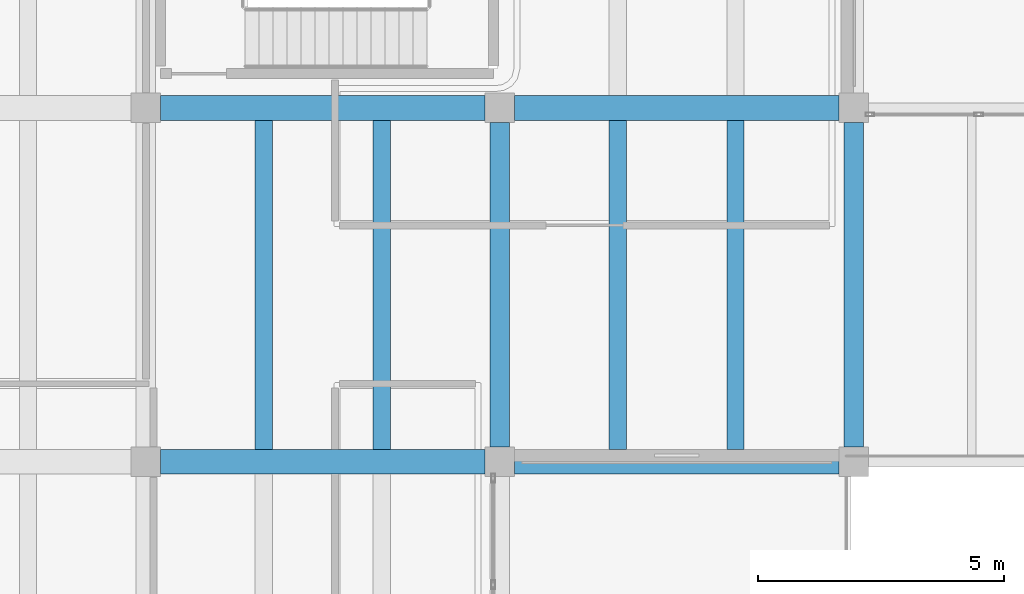
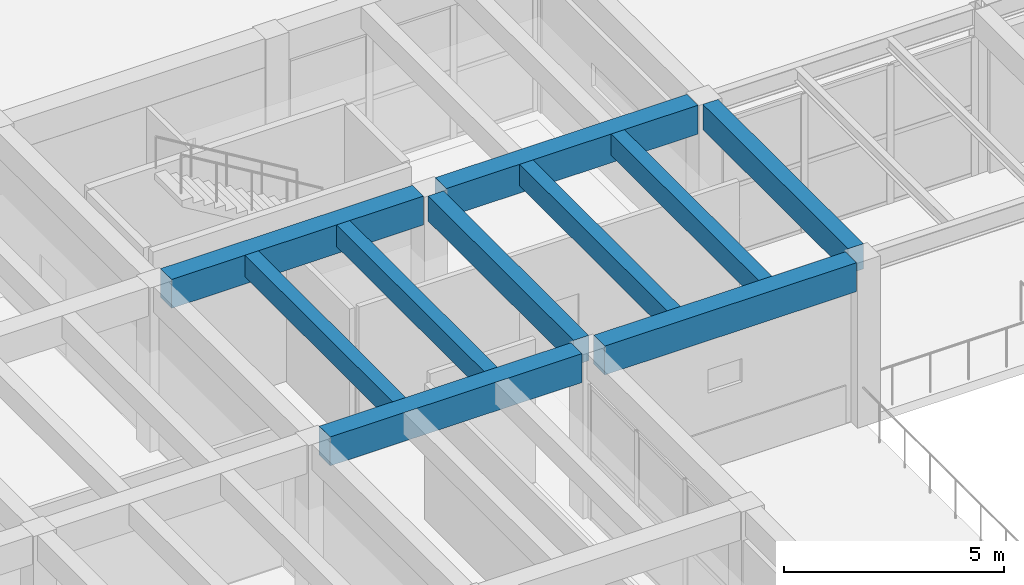
# One storey, part 23 of 155: 10 beams.
"""IFC4 building model written with IfcOpenShell, lengths in metres."""

from ifc_helpers import new_model, si_unit, direction, frame, origin, origin_2d, place, context, subcontext, project, spatial, rectangle, extrude, material, material_profile, profile_set, type_object, element, save


model = new_model("IFC4")

# Units and contexts
model_context = context("Model", 3, precision=1e-05, world=origin(), true_north=direction((0.0, 1.0)))
body_context = subcontext(model_context, "Body", "Model", "MODEL_VIEW")
ifc_project = project(units=[si_unit("LENGTHUNIT", "METRE"), si_unit("AREAUNIT", "SQUARE_METRE"), si_unit("VOLUMEUNIT", "CUBIC_METRE"), si_unit("PLANEANGLEUNIT", "RADIAN"), si_unit("MASSUNIT", "GRAM", prefix="KILO")], contexts=[model_context])

# Site, building, storey
site_placement = place(None, origin())
site = spatial("IfcSite", under=ifc_project, at=site_placement, CompositionType="ELEMENT")
building_placement = place(site_placement, origin())
building = spatial("IfcBuilding", under=site, at=building_placement, Name="Bramvelor Terrace Health Centre", CompositionType="ELEMENT")
storey_placement = place(building_placement, origin())
storey = spatial("IfcBuildingStorey", under=building, at=storey_placement, Name="L01", CompositionType="ELEMENT", Elevation=0.0)

# Beams
ifc_material_1 = material(Name="Concrete C40/50", Category="concrete")
ifc_material_profile_1 = material_profile(ifc_material_1, rectangle(XDim=0.39990234375, YDim=0.699951171875, at=origin_2d()), Name="RC 400x700")
ifc_profile_set_1 = profile_set([ifc_material_profile_1], Name="Concrete C40/50")
beam_type_1 = type_object("IfcBeamType", Name="BM-RC-G700", PredefinedType="BEAM", material=ifc_profile_set_1)
for number, where, z_axis, x_axis, name in (
    (1, (21.60009765625, 50.699951171875, 4.2099609375), (0.0, 1.0, 0.0), (-1.0, 0.0, 0.0), "L01 Floor Girder"),
    (2, (28.800048828125, 50.699951171875, 4.22998046875), (0.0, 1.0, 0.0), (-1.0, 0.0, 0.0), "L01 Floor Girder"),
):
    element("IfcBeam", number, at=place(storey_placement, frame(where, z_axis=z_axis, x_axis=x_axis)), inside=storey, type_object=beam_type_1, Name=name, PredefinedType="BEAM", context=body_context, shape_type="SweptSolid", body=[
        extrude(rectangle(XDim=0.39990234375, YDim=0.699951171875, at=origin_2d()), origin(), (0.0, 0.0, 1.0), 6.60009765625),
    ])
ifc_material_2 = material(Name="Concrete C40/50", Category="concrete")
ifc_material_profile_2 = material_profile(ifc_material_2, rectangle(XDim=0.5, YDim=0.800048828125, at=origin_2d()), Name="RC 500x800")
ifc_profile_set_2 = profile_set([ifc_material_profile_2], Name="Concrete C40/50")
beam_type_2 = type_object("IfcBeamType", Name="BM-RC-G800", PredefinedType="BEAM", material=ifc_profile_set_2)
for number, where, z_axis, x_axis, name in (
    (3, (14.699951171875, 50.39990234375, 4.159912109375), (1.0, 0.0, 0.0), (0.0, 1.0, 0.0), "L01 Floor Girder"),
    (4, (14.699951171875, 57.60009765625, 4.159912109375), (1.0, 0.0, 0.0), (0.0, 1.0, 0.0), "L01 Floor Girder"),
    (5, (21.89990234375, 50.39990234375, 4.159912109375), (1.0, 0.0, 0.0), (0.0, 1.0, 0.0), "L01 Floor Girder"),
    (6, (21.89990234375, 57.60009765625, 4.159912109375), (1.0, 0.0, 0.0), (0.0, 1.0, 0.0), "L01 Floor Girder"),
):
    element("IfcBeam", number, at=place(storey_placement, frame(where, z_axis=z_axis, x_axis=x_axis)), inside=storey, type_object=beam_type_2, Name=name, PredefinedType="BEAM", context=body_context, shape_type="SweptSolid", body=[
        extrude(rectangle(XDim=0.5, YDim=0.800048828125, at=origin_2d()), origin(), (0.0, 0.0, 1.0), 6.60009765625),
    ])
ifc_material_3 = material(Name="Concrete C40/50", Category="concrete")
ifc_material_profile_3 = material_profile(ifc_material_3, rectangle(XDim=0.35009765625, YDim=0.60009765625, at=origin_2d()), Name="RC 350x600")
ifc_profile_set_3 = profile_set([ifc_material_profile_3], Name="Concrete C40/50")
beam_type_3 = type_object("IfcBeamType", Name="BM-RC-J600", PredefinedType="JOIST", material=ifc_profile_set_3)
for number, where, z_axis, x_axis, name in (
    (7, (16.800048828125, 50.64990234375, 4.260009765625), (0.0, 1.0, 0.0), (-1.0, 0.0, 0.0), "L01 Secondary Floor Joist"),
    (8, (19.199951171875, 50.64990234375, 4.260009765625), (0.0, 1.0, 0.0), (-1.0, 0.0, 0.0), "L01 Secondary Floor Joist"),
    (9, (24.0, 50.64990234375, 4.260009765625), (0.0, 1.0, 0.0), (-1.0, 0.0, 0.0), "L01 Secondary Floor Joist"),
    (10, (26.39990234375, 50.64990234375, 4.260009765625), (0.0, 1.0, 0.0), (-1.0, 0.0, 0.0), "L01 Secondary Floor Joist"),
):
    element("IfcBeam", number, at=place(storey_placement, frame(where, z_axis=z_axis, x_axis=x_axis)), inside=storey, type_object=beam_type_3, Name=name, PredefinedType="JOIST", context=body_context, shape_type="SweptSolid", body=[
        extrude(rectangle(XDim=0.35009765625, YDim=0.60009765625, at=origin_2d()), origin(), (0.0, 0.0, 1.0), 6.7001953125),
    ])

save(model, "model.ifc")
